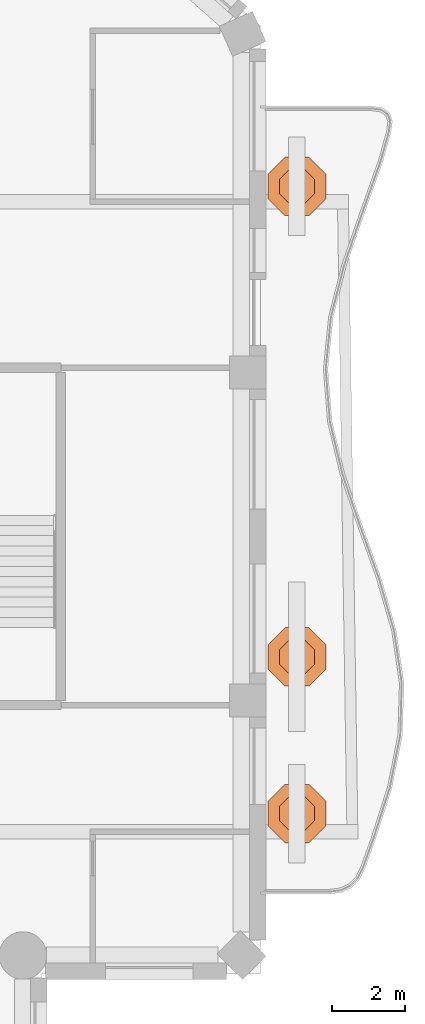
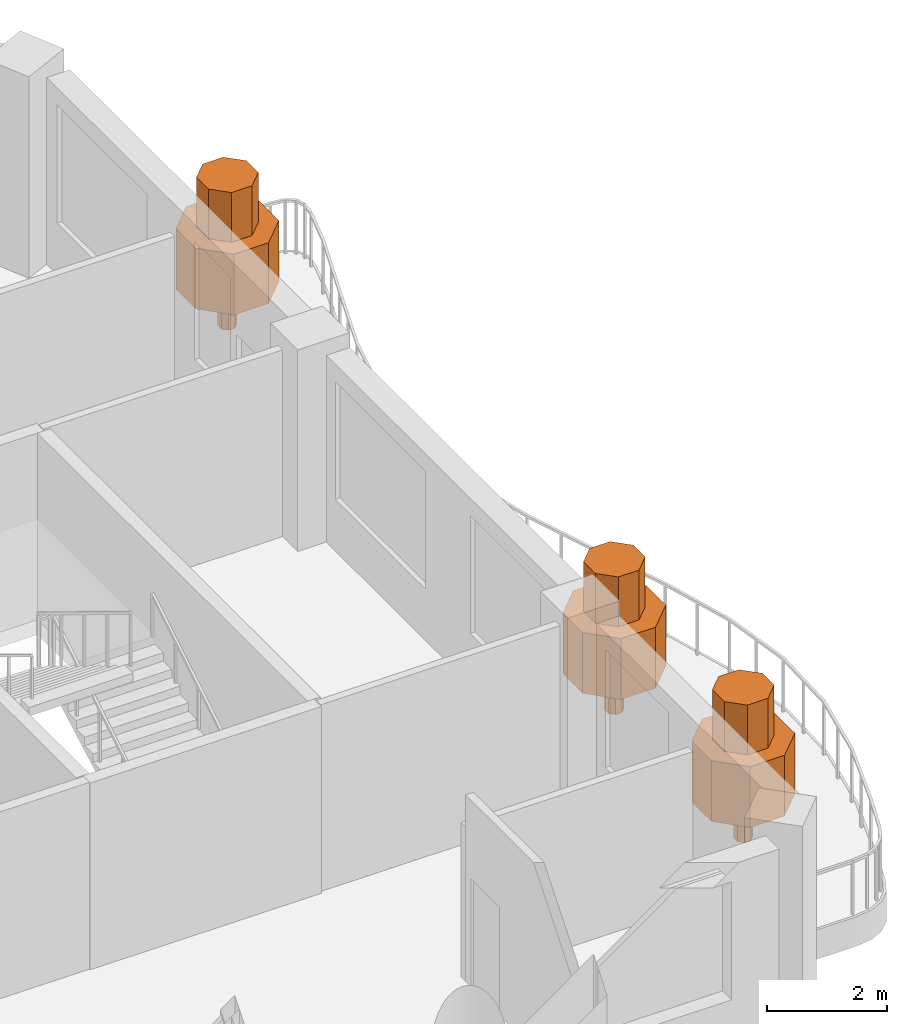
# One storey, part 18 of 18: 3 geographic elements.
"""IFC4 building model written with IfcOpenShell, lengths in metres."""

import ifcopenshell
import ifcopenshell.guid

model = None  # the IFC model being written
_history = None  # IfcOwnerHistory: only IFC2X3 demands one
_inside = {}  # id of a spatial element -> (the spatial element, [elements in it])
_under = {}  # id of a project, library or spatial element -> (it, [spatial elements below it])
_declared = {}  # id of a project -> (the project, [libraries it declares])
_typed = {}  # id of a type object -> (the type object, [elements of that type])
_made_of = {}  # id of a material, layer set ... -> (it, [elements and type objects made of it])


def new_model(schema):
    """Start an empty IFC model of exactly this schema.

    Asked for "IFC4X3", IfcOpenShell would pick the latest addendum, in which some entities
    have other attributes; the version numbers below select the first issue.
    IFC2X3 requires an IfcOwnerHistory on every rooted entity: one is made here for all.
    """
    global model, _history
    if schema == "IFC4X3":
        model = ifcopenshell.file(schema_version=(4, 3, 0, 0))
    else:
        model = ifcopenshell.file(schema=schema)
    _inside.clear()
    _under.clear()
    _declared.clear()
    _typed.clear()
    _made_of.clear()
    _history = None
    if model.schema == "IFC2X3":
        org = make("IfcOrganization", Name="unknown")
        user = make(
            "IfcPersonAndOrganization",
            ThePerson=make("IfcPerson", FamilyName="unknown"),
            TheOrganization=org,
        )
        app = make(
            "IfcApplication",
            ApplicationDeveloper=org,
            Version="unknown",
            ApplicationFullName="unknown",
            ApplicationIdentifier="unknown",
        )
        _history = make(
            "IfcOwnerHistory",
            OwningUser=user,
            OwningApplication=app,
            ChangeAction="ADDED",
            CreationDate=0,
        )
    return model


def make(cls, **values):
    """One entity of the class cls with the attributes given. An attribute that is None is left unset."""
    return model.create_entity(
        cls, **{name: value for name, value in values.items() if value is not None}
    )


def rooted(cls, **values):
    """An entity with a GlobalId (a new one), such as an element, a storey or a relation."""
    return make(cls, GlobalId=ifcopenshell.guid.new(), OwnerHistory=_history, **values)


def si_unit(unit_type, name, prefix=None):
    """IfcSIUnit, for example si_unit("LENGTHUNIT", "METRE", prefix="MILLI")."""
    return make("IfcSIUnit", UnitType=unit_type, Prefix=prefix, Name=name)


def assignment(units):
    """IfcUnitAssignment: the units of a project."""
    return None if units is None else make("IfcUnitAssignment", Units=units)


def point(xyz):
    """IfcCartesianPoint."""
    return None if xyz is None else make("IfcCartesianPoint", Coordinates=xyz)


def direction(xyz):
    """IfcDirection."""
    return None if xyz is None else make("IfcDirection", DirectionRatios=xyz)


def frame(location, z_axis=None, x_axis=None):
    """IfcAxis2Placement3D, a coordinate frame: its origin and axes. An axis left out is left unset."""
    return make(
        "IfcAxis2Placement3D",
        Location=point(location),
        Axis=direction(z_axis),
        RefDirection=direction(x_axis),
    )


def origin():
    """The frame at (0, 0, 0) with its axes left unset."""
    return frame((0.0, 0.0, 0.0))


def place(relative_to, where):
    """IfcLocalPlacement: puts the frame where relative to a parent placement (None: the world)."""
    return make(
        "IfcLocalPlacement", PlacementRelTo=relative_to, RelativePlacement=where
    )


def context(
    kind, dimensions, precision=None, world=None, true_north=None, identifier=None
):
    """IfcGeometricRepresentationContext, for example the 3D "Model" context."""
    return make(
        "IfcGeometricRepresentationContext",
        ContextIdentifier=identifier,
        ContextType=kind,
        CoordinateSpaceDimension=dimensions,
        Precision=precision,
        WorldCoordinateSystem=world,
        TrueNorth=true_north,
    )


def subcontext(parent, identifier, kind, view, scale=None):
    """IfcGeometricRepresentationSubContext, for example "Body" below "Model"."""
    return make(
        "IfcGeometricRepresentationSubContext",
        ContextIdentifier=identifier,
        ContextType=kind,
        ParentContext=parent,
        TargetScale=scale,
        TargetView=view,
    )


def project(units=None, contexts=None):
    """IfcProject with its units and contexts."""
    return rooted(
        "IfcProject",
        Name="project",
        RepresentationContexts=contexts,
        UnitsInContext=assignment(units),
    )


def spatial(cls, under=None, at=None, **own):
    """A site, building, storey or space (cls), placed at a placement, below another one or the project."""
    s = rooted(cls, ObjectPlacement=at, **own)
    if under is not None:
        _under.setdefault(under.id(), (under, []))[1].append(s)
    return s


def polyline(points):
    """IfcPolyline through the points."""
    return make("IfcPolyline", Points=[point(p) for p in points])


def outline(outer, holes=None, kind="AREA"):
    """IfcArbitraryClosedProfileDef: a profile drawn as a closed curve; with holes, ...WithVoids."""
    if holes is None:
        return make("IfcArbitraryClosedProfileDef", ProfileType=kind, OuterCurve=outer)
    return make(
        "IfcArbitraryProfileDefWithVoids",
        ProfileType=kind,
        OuterCurve=outer,
        InnerCurves=holes,
    )


def extrude(swept, where, along, depth):
    """IfcExtrudedAreaSolid: the profile swept, set in the frame where, extruded along a direction by depth."""
    return make(
        "IfcExtrudedAreaSolid",
        SweptArea=swept,
        Position=where,
        ExtrudedDirection=direction(along),
        Depth=depth,
    )


def shape(context_of_items, identifier, shape_type, items):
    """IfcShapeRepresentation: the items that make up one representation, for example the "Body"."""
    return make(
        "IfcShapeRepresentation",
        ContextOfItems=context_of_items,
        RepresentationIdentifier=identifier,
        RepresentationType=shape_type,
        Items=items,
    )


def material(Name=None, Category=None):
    """IfcMaterial."""
    return make("IfcMaterial", Name=Name, Category=Category)


def made_of(thing, what):
    """Note that an element or type object is made of a material, layer set ...; save() writes the relation."""
    if what is not None:
        _made_of.setdefault(what.id(), (what, []))[1].append(thing)
    return thing


def type_object(cls, material=None, **own):
    """A type object (cls), such as IfcWallType, which elements share."""
    return made_of(rooted(cls, **own), material)


def element(
    cls,
    number,
    at=None,
    inside=None,
    cuts=None,
    type_object=None,
    material=None,
    context=None,
    identifier="Body",
    shape_type=None,
    held_by="IfcProductDefinitionShape",
    body=None,
    shapes=None,
    **own,
):
    """One element of the class cls, such as IfcWall. Its Tag is "e" and its number.

    at: its placement. inside: the storey or other place that contains it. cuts: it is an
    opening in that element (IfcRelVoidsElement). A single representation is given by context,
    identifier, shape_type and body (its items); several are given by shapes. held_by: the class
    of the entity that holds the representations. save() writes the other relations.
    """
    e = rooted(cls, Tag="e%d" % number, ObjectPlacement=at, **own)
    if body is not None:
        shapes = [shape(context, identifier, shape_type, body)]
    if shapes is not None:
        e.Representation = make(held_by, Representations=shapes)
    if inside is not None:
        _inside.setdefault(inside.id(), (inside, []))[1].append(e)
    if cuts is not None:
        rooted(
            "IfcRelVoidsElement", RelatingBuildingElement=cuts, RelatedOpeningElement=e
        )
    if type_object is not None:
        _typed.setdefault(type_object.id(), (type_object, []))[1].append(e)
    return made_of(e, material)


def aggregate(whole, parts):
    """IfcRelAggregates: a whole, such as a stair, and the parts it consists of."""
    return rooted("IfcRelAggregates", RelatingObject=whole, RelatedObjects=parts)


def save(model, path):
    """Write the relations noted so far, then the file.

    IfcRelAggregates (storeys below a building ...), IfcRelContainedInSpatialStructure (elements
    in a storey), IfcRelDefinesByType, IfcRelAssociatesMaterial and IfcRelDeclares: one each for
    every whole, place, type object, material and project.
    """
    for whole, parts in _under.values():
        aggregate(whole, parts)
    for where, things in _inside.values():
        rooted(
            "IfcRelContainedInSpatialStructure",
            RelatedElements=things,
            RelatingStructure=where,
        )
    for kind, things in _typed.values():
        rooted("IfcRelDefinesByType", RelatedObjects=things, RelatingType=kind)
    for what, things in _made_of.values():
        rooted("IfcRelAssociatesMaterial", RelatedObjects=things, RelatingMaterial=what)
    for by, libraries in _declared.values():
        rooted("IfcRelDeclares", RelatingContext=by, RelatedDefinitions=libraries)
    model.write(path)


model = new_model("IFC4")

# Units and contexts
model_context = context("Model", 3, precision=1e-05, world=origin(), true_north=direction((0.0, 1.0)))
body_context = subcontext(model_context, "Body", "Model", "MODEL_VIEW")
ifc_project = project(units=[si_unit("LENGTHUNIT", "METRE"), si_unit("AREAUNIT", "SQUARE_METRE"), si_unit("VOLUMEUNIT", "CUBIC_METRE"), si_unit("PLANEANGLEUNIT", "RADIAN"), si_unit("MASSUNIT", "GRAM", prefix="KILO")], contexts=[model_context])

# Site, building, storey
site_placement = place(None, origin())
site = spatial("IfcSite", under=ifc_project, at=site_placement, CompositionType="ELEMENT")
building_placement = place(site_placement, origin())
building = spatial("IfcBuilding", under=site, at=building_placement, Name="Cypress Arch Tower", CompositionType="ELEMENT")
storey_placement = place(building_placement, frame((0.0, 0.0, 288.5)))
storey = spatial("IfcBuildingStorey", under=building, at=storey_placement, Name="L65", CompositionType="ELEMENT", Elevation=288.5)

# Geographic elements
ifc_material = material(Name="Foliage and planting")
geographic_element_type = type_object("IfcGeographicElementType", Name="Balcony tree TR", PredefinedType="USERDEFINED", material=ifc_material)
for number, where, z_axis, x_axis, name in (
    (1, (25.60009765625, -7.60009765625, 0.60009765625), (0.0, 0.0, 1.0), (1.0, 0.0, 0.0), "Balcony tree L65-C17.1"),
    (2, (25.60009765625, -3.300048828125, 0.60009765625), (0.0, 0.0, 1.0), (1.0, 0.0, 0.0), "Balcony tree L65-C17.2"),
    (3, (25.60009765625, 9.60009765625, 0.60009765625), (0.0, 0.0, 1.0), (1.0, 0.0, 0.0), "Balcony tree L65-C17.3"),
):
    element("IfcGeographicElement", number, at=place(storey_placement, frame(where, z_axis=z_axis, x_axis=x_axis)), inside=storey, type_object=geographic_element_type, Name=name, ObjectType="TREE", PredefinedType="USERDEFINED", context=body_context, shape_type="SweptSolid", body=[
        extrude(outline(polyline([(0.14990234375, 0.06201171875), (0.06201171875, 0.14990234375), (-0.06201171875, 0.14990234375), (-0.14990234375, 0.06201171875), (-0.14990234375, -0.06201171875), (-0.06201171875, -0.14990234375), (0.06201171875, -0.14990234375), (0.14990234375, -0.06201171875), (0.14990234375, 0.06201171875)])), origin(), (0.0, 0.0, 1.0), 0.89990234375),
        extrude(outline(polyline([(0.800048828125, 0.331298828125), (0.331298828125, 0.800048828125), (-0.331298828125, 0.800048828125), (-0.800048828125, 0.331298828125), (-0.800048828125, -0.331298828125), (-0.331298828125, -0.800048828125), (0.331298828125, -0.800048828125), (0.800048828125, -0.331298828125), (0.800048828125, 0.331298828125)])), frame((0.0, 0.0, 0.800048828125)), (0.0, 0.0, 1.0), 1.237548828125),
        extrude(outline(polyline([(0.47998046875, 0.19873046875), (0.19873046875, 0.47998046875), (-0.19873046875, 0.47998046875), (-0.47998046875, 0.19873046875), (-0.47998046875, -0.19873046875), (-0.19873046875, -0.47998046875), (0.19873046875, -0.47998046875), (0.47998046875, -0.19873046875), (0.47998046875, 0.19873046875)])), frame((0.0, 0.0, 2.03759765625)), (0.0, 0.0, 1.0), 1.012451171875),
    ])

save(model, "model.ifc")
